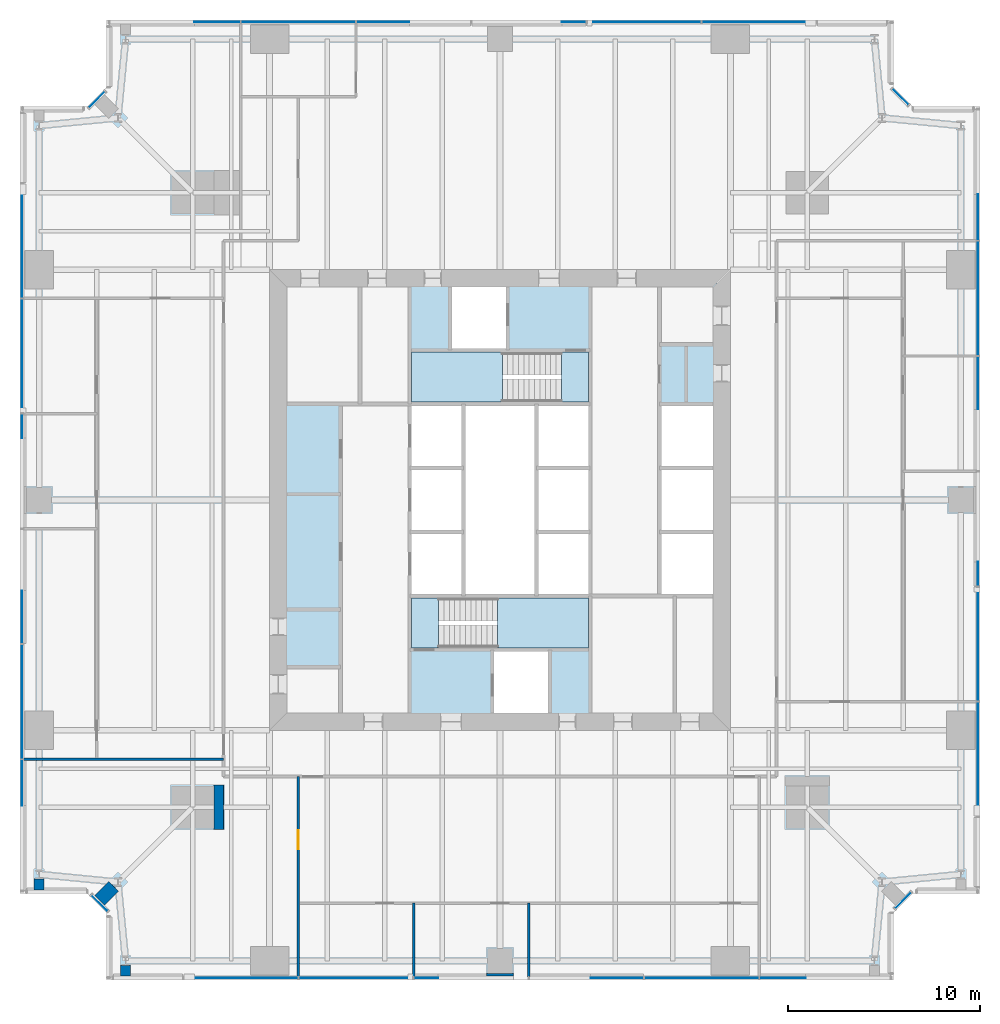
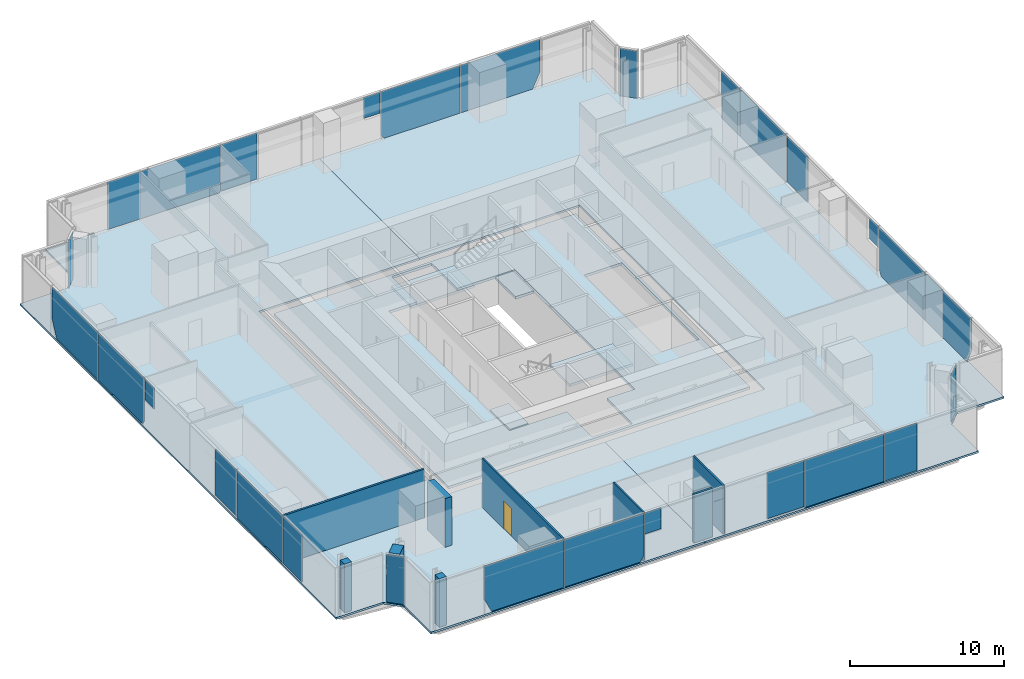
# One storey, part 8 of 13: 28 plates, 9 walls, 7 slabs, 1 door, 1 opening, 10 elements without a shape of their own.
"""IFC4 building model written with IfcOpenShell, lengths in metres."""

from ifc_helpers import new_model, si_unit, direction, frame, frame_2d, origin, origin_2d, place, context, subcontext, project, spatial, polyline, rectangle, outline, extrude, material, layer, layer_set, type_object, element, fill, aggregate, save


model = new_model("IFC4")

# Units and contexts
model_context = context("Model", 3, precision=1e-05, world=origin(), true_north=direction((0.0, 1.0)))
body_context = subcontext(model_context, "Body", "Model", "MODEL_VIEW")
ifc_project = project(units=[si_unit("LENGTHUNIT", "METRE"), si_unit("AREAUNIT", "SQUARE_METRE"), si_unit("VOLUMEUNIT", "CUBIC_METRE"), si_unit("PLANEANGLEUNIT", "RADIAN"), si_unit("MASSUNIT", "GRAM", prefix="KILO")], contexts=[model_context])

# Site, building, storey
site_placement = place(None, origin())
site = spatial("IfcSite", under=ifc_project, at=site_placement, CompositionType="ELEMENT")
building_placement = place(site_placement, origin())
building = spatial("IfcBuilding", under=site, at=building_placement, Name="Fenwick Lantern Interchange", CompositionType="ELEMENT")
storey_placement = place(building_placement, frame((0.0, 0.0, 142.39990234375)))
storey = spatial("IfcBuildingStorey", under=building, at=storey_placement, Name="L33", CompositionType="ELEMENT", Elevation=142.39990234375)

# Slabs
ifc_material_1 = material(Name="Concrete f'c 35 MPa", Category="concrete")
ifc_layer_1 = layer(ifc_material_1, 0.199951171875)
ifc_layer_set_1 = layer_set([ifc_layer_1], Name="CORE FLOOR SLAB 200")
slab_type_1 = type_object("IfcSlabType", Name="CORE FLOOR SLAB 200", PredefinedType="FLOOR", material=ifc_layer_set_1)
slab_1_placement = place(storey_placement, frame((0.0, 0.0, -0.199951171875)))
element("IfcSlab", 1, at=slab_1_placement, inside=storey, type_object=slab_type_1, Name="L33/SLAB/CORE", PredefinedType="FLOOR", context=body_context, shape_type="SweptSolid", body=[
    extrude(outline(polyline([(13.699951171875, 36.300048828125), (36.300048828125, 36.300048828125), (36.300048828125, 13.699951171875), (13.699951171875, 13.699951171875), (13.699951171875, 36.300048828125)]), holes=[polyline([(29.699951171875, 17.199951171875), (29.699951171875, 20.0), (29.699951171875, 23.333251953125), (29.699951171875, 26.666748046875), (29.699951171875, 30.0), (29.699951171875, 32.800048828125), (25.39990234375, 32.800048828125), (25.39990234375, 36.10009765625), (22.39990234375, 36.10009765625), (22.39990234375, 32.800048828125), (20.300048828125, 32.800048828125), (20.300048828125, 30.0), (20.300048828125, 26.666748046875), (20.300048828125, 23.333251953125), (20.300048828125, 20.0), (20.300048828125, 17.199951171875), (24.60009765625, 17.199951171875), (24.60009765625, 13.89990234375), (27.60009765625, 13.89990234375), (27.60009765625, 17.199951171875), (29.699951171875, 17.199951171875)]), polyline([(33.300048828125, 23.333251953125), (33.300048828125, 20.0), (36.10009765625, 20.0), (36.10009765625, 23.333251953125), (36.10009765625, 26.666748046875), (36.10009765625, 30.0), (33.300048828125, 30.0), (33.300048828125, 26.666748046875), (33.300048828125, 23.333251953125)])]), origin(), (0.0, 0.0, 1.0), 0.199951171875),
])
ifc_material_2 = material(Name="Concrete f'c 35 MPa", Category="concrete")
ifc_layer_2 = layer(ifc_material_2, 0.14990234375)
ifc_layer_set_2 = layer_set([ifc_layer_2], Name="Concrete f'c 35 MPa")
slab_type_2 = type_object("IfcSlabType", Name="FLOOR SLAB 150", PredefinedType="FLOOR", material=ifc_layer_set_2)
slab_2_placement = place(storey_placement, frame((0.0, 0.0, -0.14990234375)))
element("IfcSlab", 2, at=slab_2_placement, inside=storey, type_object=slab_type_2, Name="L33/SLAB/FW", PredefinedType="FLOOR", context=body_context, shape_type="SweptSolid", body=[
    extrude(outline(polyline([(4.5, 0.0), (4.5, 3.5), (3.5, 4.5), (0.0, 4.5), (0.0, 45.5), (3.5, 45.5), (4.5, 46.5), (4.5, 50.0), (25.0, 50.0), (25.0, 37.0), (13.0, 37.0), (13.0, 13.0), (25.0, 13.0), (25.0, 0.0), (4.5, 0.0)])), origin(), (0.0, 0.0, 1.0), 0.14990234375),
])
slab_3_placement = place(storey_placement, frame((0.0, 0.0, -0.14990234375)))
element("IfcSlab", 3, at=slab_3_placement, inside=storey, type_object=slab_type_2, Name="L33/SLAB/FE", PredefinedType="FLOOR", context=body_context, shape_type="SweptSolid", body=[
    extrude(outline(polyline([(45.5, 50.0), (45.5, 46.5), (46.5, 45.5), (50.0, 45.5), (50.0, 4.5), (46.5, 4.5), (45.5, 3.5), (45.5, 0.0), (25.0, 0.0), (25.0, 13.0), (37.0, 13.0), (37.0, 37.0), (25.0, 37.0), (25.0, 50.0), (45.5, 50.0)])), origin(), (0.0, 0.0, 1.0), 0.14990234375),
])

# Curtain wall, plates
ifc_material_3 = material(Name="Aluminium curtain wall frame", Category="aluminium")
curtain_wall_type = type_object("IfcCurtainWallType", Name="OFFICE CURTAIN WALL", PredefinedType="USERDEFINED", material=ifc_material_3)
curtain_wall_1_placement = place(storey_placement, origin())
curtain_wall_1 = element("IfcCurtainWall", 4, at=curtain_wall_1_placement, inside=storey, type_object=curtain_wall_type, Name="Office curtain wall 01", ObjectType="OFFICE CURTAIN WALL", PredefinedType="USERDEFINED")
ifc_material_4 = material(Name="Vision glass, clear low-iron double glazed", Category="glass")
ifc_layer_3 = layer(ifc_material_4, 0.031982421875)
ifc_layer_set_3 = layer_set([ifc_layer_3], Name="OFFICE CURTAIN WALL PANEL 32")
plate_type = type_object("IfcPlateType", Name="OFFICE CURTAIN WALL PANEL 32", PredefinedType="CURTAIN_PANEL", material=ifc_layer_set_3)
plate_1_placement = place(storey_placement, frame((4.60009765625, 0.10009765625, 0.0), z_axis=(0.0, 0.0, 1.0), x_axis=(1.0, 0.0, 0.0)))
plate_1 = element("IfcPlate", 5, at=plate_1_placement, type_object=plate_type, Name="L33/CW/01/P01a", PredefinedType="CURTAIN_PANEL", context=body_context, shape_type="SweptSolid", body=[
    extrude(outline(polyline([(4.478759765625, 0.0), (9.867431640625, 0.0), (9.867431640625, 3.75), (3.9326171875, 3.75), (3.9326171875, 1.165771484375), (4.478759765625, 0.0)])), frame((0.0, 0.01611328125, 0.0), z_axis=(0.0, -1.0, 0.0), x_axis=(1.0, 0.0, 0.0)), (0.0, 0.0, 1.0), 0.031982421875),
])
plate_2_placement = place(storey_placement, frame((4.60009765625, 0.10009765625, 0.0), z_axis=(0.0, 0.0, 1.0), x_axis=(1.0, 0.0, 0.0)))
plate_2 = element("IfcPlate", 6, at=plate_2_placement, type_object=plate_type, Name="L33/CW/01/P02a", PredefinedType="CURTAIN_PANEL", context=body_context, shape_type="SweptSolid", body=[
    extrude(outline(polyline([(9.9326171875, 0.0), (15.6044921875, 0.0), (15.867431640625, 0.350830078125), (15.867431640625, 3.75), (9.9326171875, 3.75), (9.9326171875, 0.0)])), frame((0.0, 0.01611328125, 0.0), z_axis=(0.0, -1.0, 0.0), x_axis=(1.0, 0.0, 0.0)), (0.0, 0.0, 1.0), 0.031982421875),
])
plate_3_placement = place(storey_placement, frame((4.60009765625, 0.10009765625, 2.0908203125), z_axis=(0.0, 0.0, 1.0), x_axis=(1.0, 0.0, 0.0)))
plate_3 = element("IfcPlate", 7, at=plate_3_placement, type_object=plate_type, Name="L33/CW/01/P03a", PredefinedType="CURTAIN_PANEL", context=body_context, shape_type="SweptSolid", body=[
    extrude(outline(polyline([(15.9326171875, 0.0), (17.172607421875, 0.0), (17.172607421875, 1.6591796875), (15.9326171875, 1.6591796875), (15.9326171875, 0.0)])), frame((0.0, 0.01611328125, 0.0), z_axis=(0.0, -1.0, 0.0), x_axis=(1.0, 0.0, 0.0)), (0.0, 0.0, 1.0), 0.031982421875),
])
plate_4_placement = place(storey_placement, frame((4.60009765625, 0.10009765625, 0.093017578125), z_axis=(0.0, 0.0, 1.0), x_axis=(1.0, 0.0, 0.0)))
plate_4 = element("IfcPlate", 8, at=plate_4_placement, type_object=plate_type, Name="L33/CW/01/P04a", PredefinedType="CURTAIN_PANEL", context=body_context, shape_type="SweptSolid", body=[
    extrude(outline(polyline([(25.1259765625, 0.0), (27.867431640625, 0.0), (27.867431640625, 3.656982421875), (25.1259765625, 3.656982421875), (25.1259765625, 0.0)])), frame((0.0, 0.01611328125, 0.0), z_axis=(0.0, -1.0, 0.0), x_axis=(1.0, 0.0, 0.0)), (0.0, 0.0, 1.0), 0.031982421875),
])
plate_5_placement = place(storey_placement, frame((35.5, 0.10009765625, 0.0), z_axis=(0.0, 0.0, 1.0), x_axis=(1.0, 0.0, 0.0)))
plate_5 = element("IfcPlate", 9, at=plate_5_placement, type_object=plate_type, Name="L33/CW/01/P05", PredefinedType="CURTAIN_PANEL", context=body_context, shape_type="SweptSolid", body=[
    extrude(rectangle(XDim=5.93505859375, YDim=0.031982421875, at=origin_2d()), origin(), (0.0, 0.0, 1.0), 3.75),
])
plate_6_placement = place(storey_placement, frame((4.60009765625, 0.10009765625, 0.0029296875), z_axis=(0.0, 0.0, 1.0), x_axis=(1.0, 0.0, 0.0)))
plate_6 = element("IfcPlate", 10, at=plate_6_placement, type_object=plate_type, Name="L33/CW/01/P06a", PredefinedType="CURTAIN_PANEL", context=body_context, shape_type="SweptSolid", body=[
    extrude(outline(polyline([(33.9326171875, 0.0), (36.322509765625, 0.0), (36.322509765625, 3.7470703125), (33.9326171875, 3.7470703125), (33.9326171875, 0.0)])), frame((0.0, 0.01611328125, 0.0), z_axis=(0.0, -1.0, 0.0), x_axis=(1.0, 0.0, 0.0)), (0.0, 0.0, 1.0), 0.031982421875),
])
aggregate(curtain_wall_1, [plate_1, plate_2, plate_3, plate_4, plate_5, plate_6])

# Curtain wall, plate
curtain_wall_2_placement = place(storey_placement, origin())
curtain_wall_2 = element("IfcCurtainWall", 11, at=curtain_wall_2_placement, inside=storey, type_object=curtain_wall_type, Name="Office curtain wall 03", ObjectType="OFFICE CURTAIN WALL", PredefinedType="USERDEFINED")
plate_7_placement = place(storey_placement, frame((46.0, 4.141357421875, 0.0), z_axis=(0.0, 0.0, 1.0), x_axis=(0.707106781187, 0.707106781187, 0.0)))
plate_7 = element("IfcPlate", 12, at=plate_7_placement, type_object=plate_type, Name="L33/CW/03/P00", PredefinedType="CURTAIN_PANEL", context=body_context, shape_type="SweptSolid", body=[
    extrude(rectangle(XDim=1.1669921875, YDim=0.031982421875, at=origin_2d()), origin(), (0.0, 0.0, 1.0), 3.75),
])
aggregate(curtain_wall_2, [plate_7])

# Curtain wall, plates
curtain_wall_3_placement = place(storey_placement, origin())
curtain_wall_3 = element("IfcCurtainWall", 13, at=curtain_wall_3_placement, inside=storey, type_object=curtain_wall_type, Name="Office curtain wall 05", ObjectType="OFFICE CURTAIN WALL", PredefinedType="USERDEFINED")
plate_8_placement = place(storey_placement, frame((49.89990234375, 4.60009765625, 0.0), z_axis=(0.0, 0.0, 1.0), x_axis=(0.0, 1.0, 0.0)))
plate_8 = element("IfcPlate", 14, at=plate_8_placement, type_object=plate_type, Name="L33/CW/05/P01a", PredefinedType="CURTAIN_PANEL", context=body_context, shape_type="SweptSolid", body=[
    extrude(outline(polyline([(4.478759765625, 0.0), (9.867431640625, 0.0), (9.867431640625, 3.75), (3.9326171875, 3.75), (3.9326171875, 1.165771484375), (4.478759765625, 0.0)])), frame((0.0, 0.01611328125, 0.0), z_axis=(0.0, -1.0, 0.0), x_axis=(1.0, 0.0, 0.0)), (0.0, 0.0, 1.0), 0.031982421875),
])
plate_9_placement = place(storey_placement, frame((49.89990234375, 4.60009765625, 0.0), z_axis=(0.0, 0.0, 1.0), x_axis=(0.0, 1.0, 0.0)))
plate_9 = element("IfcPlate", 15, at=plate_9_placement, type_object=plate_type, Name="L33/CW/05/P02a", PredefinedType="CURTAIN_PANEL", context=body_context, shape_type="SweptSolid", body=[
    extrude(outline(polyline([(9.9326171875, 0.0), (15.6044921875, 0.0), (15.867431640625, 0.350830078125), (15.867431640625, 3.75), (9.9326171875, 3.75), (9.9326171875, 0.0)])), frame((0.0, 0.01611328125, 0.0), z_axis=(0.0, -1.0, 0.0), x_axis=(1.0, 0.0, 0.0)), (0.0, 0.0, 1.0), 0.031982421875),
])
plate_10_placement = place(storey_placement, frame((49.89990234375, 4.60009765625, 2.0908203125), z_axis=(0.0, 0.0, 1.0), x_axis=(0.0, 1.0, 0.0)))
plate_10 = element("IfcPlate", 16, at=plate_10_placement, type_object=plate_type, Name="L33/CW/05/P03a", PredefinedType="CURTAIN_PANEL", context=body_context, shape_type="SweptSolid", body=[
    extrude(outline(polyline([(15.9326171875, 0.0), (17.172607421875, 0.0), (17.172607421875, 1.6591796875), (15.9326171875, 1.6591796875), (15.9326171875, 0.0)])), frame((0.0, 0.01611328125, 0.0), z_axis=(0.0, -1.0, 0.0), x_axis=(1.0, 0.0, 0.0)), (0.0, 0.0, 1.0), 0.031982421875),
])
plate_11_placement = place(storey_placement, frame((49.89990234375, 4.60009765625, 0.093017578125), z_axis=(0.0, 0.0, 1.0), x_axis=(0.0, 1.0, 0.0)))
plate_11 = element("IfcPlate", 17, at=plate_11_placement, type_object=plate_type, Name="L33/CW/05/P04a", PredefinedType="CURTAIN_PANEL", context=body_context, shape_type="SweptSolid", body=[
    extrude(outline(polyline([(25.1259765625, 0.0), (27.867431640625, 0.0), (27.867431640625, 3.656982421875), (25.1259765625, 3.656982421875), (25.1259765625, 0.0)])), frame((0.0, 0.01611328125, 0.0), z_axis=(0.0, -1.0, 0.0), x_axis=(1.0, 0.0, 0.0)), (0.0, 0.0, 1.0), 0.031982421875),
])
plate_12_placement = place(storey_placement, frame((49.89990234375, 35.5, 0.0), z_axis=(0.0, 0.0, 1.0), x_axis=(0.0, 1.0, 0.0)))
plate_12 = element("IfcPlate", 18, at=plate_12_placement, type_object=plate_type, Name="L33/CW/05/P05", PredefinedType="CURTAIN_PANEL", context=body_context, shape_type="SweptSolid", body=[
    extrude(rectangle(XDim=5.93505859375, YDim=0.031982421875, at=origin_2d()), origin(), (0.0, 0.0, 1.0), 3.75),
])
plate_13_placement = place(storey_placement, frame((49.89990234375, 4.60009765625, 0.0029296875), z_axis=(0.0, 0.0, 1.0), x_axis=(0.0, 1.0, 0.0)))
plate_13 = element("IfcPlate", 19, at=plate_13_placement, type_object=plate_type, Name="L33/CW/05/P06a", PredefinedType="CURTAIN_PANEL", context=body_context, shape_type="SweptSolid", body=[
    extrude(outline(polyline([(33.9326171875, 0.0), (36.322509765625, 0.0), (36.322509765625, 3.7470703125), (33.9326171875, 3.7470703125), (33.9326171875, 0.0)])), frame((0.0, 0.01611328125, 0.0), z_axis=(0.0, -1.0, 0.0), x_axis=(1.0, 0.0, 0.0)), (0.0, 0.0, 1.0), 0.031982421875),
])
aggregate(curtain_wall_3, [plate_8, plate_9, plate_10, plate_11, plate_12, plate_13])

# Curtain wall, plate
curtain_wall_4_placement = place(storey_placement, origin())
curtain_wall_4 = element("IfcCurtainWall", 20, at=curtain_wall_4_placement, inside=storey, type_object=curtain_wall_type, Name="Office curtain wall 07", ObjectType="OFFICE CURTAIN WALL", PredefinedType="USERDEFINED")
plate_14_placement = place(storey_placement, frame((45.858642578125, 46.0, 0.0), z_axis=(0.0, 0.0, 1.0), x_axis=(-0.707106781187, 0.707106781187, 0.0)))
plate_14 = element("IfcPlate", 21, at=plate_14_placement, type_object=plate_type, Name="L33/CW/07/P00", PredefinedType="CURTAIN_PANEL", context=body_context, shape_type="SweptSolid", body=[
    extrude(rectangle(XDim=1.1669921875, YDim=0.031982421875, at=origin_2d()), origin(), (0.0, 0.0, 1.0), 3.75),
])
aggregate(curtain_wall_4, [plate_14])

# Curtain wall, plates
curtain_wall_5_placement = place(storey_placement, origin())
curtain_wall_5 = element("IfcCurtainWall", 22, at=curtain_wall_5_placement, inside=storey, type_object=curtain_wall_type, Name="Office curtain wall 09", ObjectType="OFFICE CURTAIN WALL", PredefinedType="USERDEFINED")
plate_15_placement = place(storey_placement, frame((45.39990234375, 49.89990234375, 0.0), z_axis=(0.0, 0.0, 1.0), x_axis=(-1.0, 0.0, 0.0)))
plate_15 = element("IfcPlate", 23, at=plate_15_placement, type_object=plate_type, Name="L33/CW/09/P01a", PredefinedType="CURTAIN_PANEL", context=body_context, shape_type="SweptSolid", body=[
    extrude(outline(polyline([(4.478759765625, 0.0), (9.867431640625, 0.0), (9.867431640625, 3.75), (3.9326171875, 3.75), (3.9326171875, 1.165771484375), (4.478759765625, 0.0)])), frame((0.0, 0.01611328125, 0.0), z_axis=(0.0, -1.0, 0.0), x_axis=(1.0, 0.0, 0.0)), (0.0, 0.0, 1.0), 0.031982421875),
])
plate_16_placement = place(storey_placement, frame((45.39990234375, 49.89990234375, 0.0), z_axis=(0.0, 0.0, 1.0), x_axis=(-1.0, 0.0, 0.0)))
plate_16 = element("IfcPlate", 24, at=plate_16_placement, type_object=plate_type, Name="L33/CW/09/P02a", PredefinedType="CURTAIN_PANEL", context=body_context, shape_type="SweptSolid", body=[
    extrude(outline(polyline([(9.9326171875, 0.0), (15.6044921875, 0.0), (15.867431640625, 0.350830078125), (15.867431640625, 3.75), (9.9326171875, 3.75), (9.9326171875, 0.0)])), frame((0.0, 0.01611328125, 0.0), z_axis=(0.0, -1.0, 0.0), x_axis=(1.0, 0.0, 0.0)), (0.0, 0.0, 1.0), 0.031982421875),
])
plate_17_placement = place(storey_placement, frame((45.39990234375, 49.89990234375, 2.0908203125), z_axis=(0.0, 0.0, 1.0), x_axis=(-1.0, 0.0, 0.0)))
plate_17 = element("IfcPlate", 25, at=plate_17_placement, type_object=plate_type, Name="L33/CW/09/P03a", PredefinedType="CURTAIN_PANEL", context=body_context, shape_type="SweptSolid", body=[
    extrude(outline(polyline([(15.9326171875, 0.0), (17.172607421875, 0.0), (17.172607421875, 1.6591796875), (15.9326171875, 1.6591796875), (15.9326171875, 0.0)])), frame((0.0, 0.01611328125, 0.0), z_axis=(0.0, -1.0, 0.0), x_axis=(1.0, 0.0, 0.0)), (0.0, 0.0, 1.0), 0.031982421875),
])
plate_18_placement = place(storey_placement, frame((45.39990234375, 49.89990234375, 0.093017578125), z_axis=(0.0, 0.0, 1.0), x_axis=(-1.0, 0.0, 0.0)))
plate_18 = element("IfcPlate", 26, at=plate_18_placement, type_object=plate_type, Name="L33/CW/09/P04a", PredefinedType="CURTAIN_PANEL", context=body_context, shape_type="SweptSolid", body=[
    extrude(outline(polyline([(25.1259765625, 0.0), (27.867431640625, 0.0), (27.867431640625, 3.656982421875), (25.1259765625, 3.656982421875), (25.1259765625, 0.0)])), frame((0.0, 0.01611328125, 0.0), z_axis=(0.0, -1.0, 0.0), x_axis=(1.0, 0.0, 0.0)), (0.0, 0.0, 1.0), 0.031982421875),
])
plate_19_placement = place(storey_placement, frame((14.5, 49.89990234375, 0.0), z_axis=(0.0, 0.0, 1.0), x_axis=(-1.0, 0.0, 0.0)))
plate_19 = element("IfcPlate", 27, at=plate_19_placement, type_object=plate_type, Name="L33/CW/09/P05", PredefinedType="CURTAIN_PANEL", context=body_context, shape_type="SweptSolid", body=[
    extrude(rectangle(XDim=5.93505859375, YDim=0.031982421875, at=origin_2d()), origin(), (0.0, 0.0, 1.0), 3.75),
])
plate_20_placement = place(storey_placement, frame((45.39990234375, 49.89990234375, 0.0029296875), z_axis=(0.0, 0.0, 1.0), x_axis=(-1.0, 0.0, 0.0)))
plate_20 = element("IfcPlate", 28, at=plate_20_placement, type_object=plate_type, Name="L33/CW/09/P06a", PredefinedType="CURTAIN_PANEL", context=body_context, shape_type="SweptSolid", body=[
    extrude(outline(polyline([(33.9326171875, 0.0), (36.322509765625, 0.0), (36.322509765625, 3.7470703125), (33.9326171875, 3.7470703125), (33.9326171875, 0.0)])), frame((0.0, 0.01611328125, 0.0), z_axis=(0.0, -1.0, 0.0), x_axis=(1.0, 0.0, 0.0)), (0.0, 0.0, 1.0), 0.031982421875),
])
aggregate(curtain_wall_5, [plate_15, plate_16, plate_17, plate_18, plate_19, plate_20])

# Curtain wall, plate
curtain_wall_6_placement = place(storey_placement, origin())
curtain_wall_6 = element("IfcCurtainWall", 29, at=curtain_wall_6_placement, inside=storey, type_object=curtain_wall_type, Name="Office curtain wall 11", ObjectType="OFFICE CURTAIN WALL", PredefinedType="USERDEFINED")
plate_21_placement = place(storey_placement, frame((4.0, 45.858642578125, 0.0), z_axis=(0.0, 0.0, 1.0), x_axis=(-0.707106781187, -0.707106781187, 0.0)))
plate_21 = element("IfcPlate", 30, at=plate_21_placement, type_object=plate_type, Name="L33/CW/11/P00", PredefinedType="CURTAIN_PANEL", context=body_context, shape_type="SweptSolid", body=[
    extrude(rectangle(XDim=1.1669921875, YDim=0.031982421875, at=origin_2d()), origin(), (0.0, 0.0, 1.0), 3.75),
])
aggregate(curtain_wall_6, [plate_21])

# Curtain wall, plates
curtain_wall_7_placement = place(storey_placement, origin())
curtain_wall_7 = element("IfcCurtainWall", 31, at=curtain_wall_7_placement, inside=storey, type_object=curtain_wall_type, Name="Office curtain wall 13", ObjectType="OFFICE CURTAIN WALL", PredefinedType="USERDEFINED")
plate_22_placement = place(storey_placement, frame((0.10009765625, 45.39990234375, 0.0), z_axis=(0.0, 0.0, 1.0), x_axis=(0.0, -1.0, 0.0)))
plate_22 = element("IfcPlate", 32, at=plate_22_placement, type_object=plate_type, Name="L33/CW/13/P01a", PredefinedType="CURTAIN_PANEL", context=body_context, shape_type="SweptSolid", body=[
    extrude(outline(polyline([(4.478759765625, 0.0), (9.867431640625, 0.0), (9.867431640625, 3.75), (3.9326171875, 3.75), (3.9326171875, 1.165771484375), (4.478759765625, 0.0)])), frame((0.0, 0.01611328125, 0.0), z_axis=(0.0, -1.0, 0.0), x_axis=(1.0, 0.0, 0.0)), (0.0, 0.0, 1.0), 0.031982421875),
])
plate_23_placement = place(storey_placement, frame((0.10009765625, 45.39990234375, 0.0), z_axis=(0.0, 0.0, 1.0), x_axis=(0.0, -1.0, 0.0)))
plate_23 = element("IfcPlate", 33, at=plate_23_placement, type_object=plate_type, Name="L33/CW/13/P02a", PredefinedType="CURTAIN_PANEL", context=body_context, shape_type="SweptSolid", body=[
    extrude(outline(polyline([(9.9326171875, 0.0), (15.6044921875, 0.0), (15.867431640625, 0.350830078125), (15.867431640625, 3.75), (9.9326171875, 3.75), (9.9326171875, 0.0)])), frame((0.0, 0.01611328125, 0.0), z_axis=(0.0, -1.0, 0.0), x_axis=(1.0, 0.0, 0.0)), (0.0, 0.0, 1.0), 0.031982421875),
])
plate_24_placement = place(storey_placement, frame((0.10009765625, 45.39990234375, 2.0908203125), z_axis=(0.0, 0.0, 1.0), x_axis=(0.0, -1.0, 0.0)))
plate_24 = element("IfcPlate", 34, at=plate_24_placement, type_object=plate_type, Name="L33/CW/13/P03a", PredefinedType="CURTAIN_PANEL", context=body_context, shape_type="SweptSolid", body=[
    extrude(outline(polyline([(15.9326171875, 0.0), (17.172607421875, 0.0), (17.172607421875, 1.6591796875), (15.9326171875, 1.6591796875), (15.9326171875, 0.0)])), frame((0.0, 0.01611328125, 0.0), z_axis=(0.0, -1.0, 0.0), x_axis=(1.0, 0.0, 0.0)), (0.0, 0.0, 1.0), 0.031982421875),
])
plate_25_placement = place(storey_placement, frame((0.10009765625, 45.39990234375, 0.093017578125), z_axis=(0.0, 0.0, 1.0), x_axis=(0.0, -1.0, 0.0)))
plate_25 = element("IfcPlate", 35, at=plate_25_placement, type_object=plate_type, Name="L33/CW/13/P04a", PredefinedType="CURTAIN_PANEL", context=body_context, shape_type="SweptSolid", body=[
    extrude(outline(polyline([(25.1259765625, 0.0), (27.867431640625, 0.0), (27.867431640625, 3.656982421875), (25.1259765625, 3.656982421875), (25.1259765625, 0.0)])), frame((0.0, 0.01611328125, 0.0), z_axis=(0.0, -1.0, 0.0), x_axis=(1.0, 0.0, 0.0)), (0.0, 0.0, 1.0), 0.031982421875),
])
plate_26_placement = place(storey_placement, frame((0.10009765625, 14.5, 0.0), z_axis=(0.0, 0.0, 1.0), x_axis=(0.0, -1.0, 0.0)))
plate_26 = element("IfcPlate", 36, at=plate_26_placement, type_object=plate_type, Name="L33/CW/13/P05", PredefinedType="CURTAIN_PANEL", context=body_context, shape_type="SweptSolid", body=[
    extrude(rectangle(XDim=5.93505859375, YDim=0.031982421875, at=origin_2d()), origin(), (0.0, 0.0, 1.0), 3.75),
])
plate_27_placement = place(storey_placement, frame((0.10009765625, 45.39990234375, 0.0029296875), z_axis=(0.0, 0.0, 1.0), x_axis=(0.0, -1.0, 0.0)))
plate_27 = element("IfcPlate", 37, at=plate_27_placement, type_object=plate_type, Name="L33/CW/13/P06a", PredefinedType="CURTAIN_PANEL", context=body_context, shape_type="SweptSolid", body=[
    extrude(outline(polyline([(33.9326171875, 0.0), (36.322509765625, 0.0), (36.322509765625, 3.7470703125), (33.9326171875, 3.7470703125), (33.9326171875, 0.0)])), frame((0.0, 0.01611328125, 0.0), z_axis=(0.0, -1.0, 0.0), x_axis=(1.0, 0.0, 0.0)), (0.0, 0.0, 1.0), 0.031982421875),
])
aggregate(curtain_wall_7, [plate_22, plate_23, plate_24, plate_25, plate_26, plate_27])

# Curtain wall, plate
curtain_wall_8_placement = place(storey_placement, origin())
curtain_wall_8 = element("IfcCurtainWall", 38, at=curtain_wall_8_placement, inside=storey, type_object=curtain_wall_type, Name="Office curtain wall 15", ObjectType="OFFICE CURTAIN WALL", PredefinedType="USERDEFINED")
plate_28_placement = place(storey_placement, frame((4.141357421875, 4.0, 0.0), z_axis=(0.0, 0.0, 1.0), x_axis=(0.707106781187, -0.707106781187, 0.0)))
plate_28 = element("IfcPlate", 39, at=plate_28_placement, type_object=plate_type, Name="L33/CW/15/P00", PredefinedType="CURTAIN_PANEL", context=body_context, shape_type="SweptSolid", body=[
    extrude(rectangle(XDim=1.1669921875, YDim=0.031982421875, at=origin_2d()), origin(), (0.0, 0.0, 1.0), 3.75),
])
aggregate(curtain_wall_8, [plate_28])

# Stair, slabs
ifc_material_5 = material(Name="Precast concrete f'c 35 MPa", Category="concrete")
stair_type = type_object("IfcStairType", Name="EXIT STAIR 1200", PredefinedType="HALF_TURN_STAIR", material=ifc_material_5)
stair_1_placement = place(storey_placement, origin())
stair_1 = element("IfcStair", 40, at=stair_1_placement, inside=storey, type_object=stair_type, Name="Exit stair ST1", PredefinedType="HALF_TURN_STAIR")
ifc_layer_4 = layer(ifc_material_1, 0.199951171875)
ifc_layer_set_4 = layer_set([ifc_layer_4], Name="STAIR LANDING 200")
slab_type_3 = type_object("IfcSlabType", Name="STAIR LANDING 200", PredefinedType="LANDING", material=ifc_layer_set_4)
slab_4_placement = place(storey_placement, frame((0.0, 0.0, 1.800048828125)))
slab_4 = element("IfcSlab", 41, at=slab_4_placement, type_object=slab_type_3, Name="ST1 landing 1", PredefinedType="LANDING", context=body_context, shape_type="SweptSolid", body=[
    extrude(outline(polyline([(24.8798828125, 17.300048828125), (29.60009765625, 17.300048828125), (29.60009765625, 19.89990234375), (24.8798828125, 19.89990234375), (24.8798828125, 17.300048828125)])), origin(), (0.0, 0.0, 1.0), 0.199951171875),
])
slab_5_placement = place(storey_placement, frame((0.0, 0.0, -0.199951171875)))
slab_5 = element("IfcSlab", 42, at=slab_5_placement, type_object=slab_type_3, Name="ST1 landing 2", PredefinedType="LANDING", context=body_context, shape_type="SweptSolid", body=[
    extrude(outline(polyline([(20.39990234375, 17.300048828125), (21.800048828125, 17.300048828125), (21.800048828125, 19.89990234375), (20.39990234375, 19.89990234375), (20.39990234375, 17.300048828125)])), origin(), (0.0, 0.0, 1.0), 0.199951171875),
])
aggregate(stair_1, [slab_4, slab_5])

stair_2_placement = place(storey_placement, origin())
stair_2 = element("IfcStair", 43, at=stair_2_placement, inside=storey, type_object=stair_type, Name="Exit stair ST2", PredefinedType="HALF_TURN_STAIR")
slab_6_placement = place(storey_placement, frame((0.0, 0.0, 1.800048828125)))
slab_6 = element("IfcSlab", 44, at=slab_6_placement, type_object=slab_type_3, Name="ST2 landing 1", PredefinedType="LANDING", context=body_context, shape_type="SweptSolid", body=[
    extrude(outline(polyline([(25.1201171875, 32.699951171875), (20.39990234375, 32.699951171875), (20.39990234375, 30.10009765625), (25.1201171875, 30.10009765625), (25.1201171875, 32.699951171875)])), origin(), (0.0, 0.0, 1.0), 0.199951171875),
])
slab_7_placement = place(storey_placement, frame((0.0, 0.0, -0.199951171875)))
slab_7 = element("IfcSlab", 45, at=slab_7_placement, type_object=slab_type_3, Name="ST2 landing 2", PredefinedType="LANDING", context=body_context, shape_type="SweptSolid", body=[
    extrude(outline(polyline([(29.60009765625, 32.699951171875), (28.199951171875, 32.699951171875), (28.199951171875, 30.10009765625), (29.60009765625, 30.10009765625), (29.60009765625, 32.699951171875)])), origin(), (0.0, 0.0, 1.0), 0.199951171875),
])
aggregate(stair_2, [slab_6, slab_7])

# Walls
ifc_material_6 = material(Name="Fire-rated gypsum board encasement on steel studs, 2 hour", Category="steel")
ifc_layer_5 = layer(ifc_material_6, 1.39990234375)
ifc_layer_set_5 = layer_set([ifc_layer_5], Name="COLUMN PIER 1400")
wall_type_1 = type_object("IfcWallType", Name="COLUMN PIER 1400", PredefinedType="PARTITIONING", material=ifc_layer_set_5)
wall_1_placement = place(storey_placement, frame((25.0, 0.199951171875, 0.0), z_axis=(0.0, 0.0, 1.0), x_axis=(0.0, 1.0, 0.0)))
element("IfcWall", 46, at=wall_1_placement, inside=storey, type_object=wall_type_1, Name="L33/W/PIER/CS3", PredefinedType="PARTITIONING", context=body_context, shape_type="SweptSolid", body=[
    extrude(rectangle(XDim=0.150146484375, YDim=1.39990234375, at=frame_2d((0.0751953125, 0.0))), origin(), (0.0, 0.0, 1.0), 3.85009765625),
])
ifc_layer_6 = layer(ifc_material_6, 2.300048828125)
ifc_layer_set_6 = layer_set([ifc_layer_6], Name="COLUMN PIER 2300")
wall_type_2 = type_object("IfcWallType", Name="COLUMN PIER 2300", PredefinedType="PARTITIONING", material=ifc_layer_set_6)
wall_2_placement = place(storey_placement, frame((10.60009765625, 9.0, 0.0), z_axis=(0.0, 0.0, 1.0), x_axis=(-1.0, 0.0, 0.0)))
element("IfcWall", 47, at=wall_2_placement, inside=storey, type_object=wall_type_2, Name="L33/W/PIER/M1", PredefinedType="PARTITIONING", context=body_context, shape_type="SweptSolid", body=[
    extrude(rectangle(XDim=0.5, YDim=2.300048828125, at=frame_2d((0.25, 0.0))), origin(), (0.0, 0.0, 1.0), 3.85009765625),
])
ifc_layer_7 = layer(ifc_material_6, 0.52392578125)
ifc_layer_set_7 = layer_set([ifc_layer_7], Name="COLUMN PIER 524")
wall_type_3 = type_object("IfcWallType", Name="COLUMN PIER 524", PredefinedType="PARTITIONING", material=ifc_layer_set_7)
for number, where, z_axis, x_axis, name in (
    (48, (5.5, 0.199951171875, 0.0), (0.0, 0.0, 1.0), (0.0, 1.0, 0.0), "L33/W/PIER/CS1"),
    (49, (1.0, 4.699951171875, 0.0), (0.0, 0.0, 1.0), (0.0, 1.0, 0.0), "L33/W/PIER/CW5"),
):
    element("IfcWall", number, at=place(storey_placement, frame(where, z_axis=z_axis, x_axis=x_axis)), inside=storey, type_object=wall_type_3, Name=name, PredefinedType="PARTITIONING", context=body_context, shape_type="SweptSolid", body=[
        extrude(rectangle(XDim=0.5625, YDim=0.52392578125, at=frame_2d((0.28125, 0.0))), origin(), (0.0, 0.0, 1.0), 3.85009765625),
    ])
ifc_layer_8 = layer(ifc_material_6, 0.736083984375)
ifc_layer_set_8 = layer_set([ifc_layer_8], Name="COLUMN PIER 736")
wall_type_4 = type_object("IfcWallType", Name="COLUMN PIER 736", PredefinedType="PARTITIONING", material=ifc_layer_set_8)
wall_3_placement = place(storey_placement, frame((4.141357421875, 4.141357421875, 0.0), z_axis=(0.0, 0.0, 1.0), x_axis=(0.707106781187, 0.707106781187, 0.0)))
element("IfcWall", 50, at=wall_3_placement, inside=storey, type_object=wall_type_4, Name="L33/W/PIER/CWR", PredefinedType="PARTITIONING", context=body_context, shape_type="SweptSolid", body=[
    extrude(rectangle(XDim=1.037841796875, YDim=0.736083984375, at=frame_2d((0.51904296875, 0.0))), origin(), (0.0, 0.0, 1.0), 3.85009765625),
])

# Wall, opening, door
ifc_material_7 = material(Name="Gypsum board on steel studs, acoustic", Category="steel")
ifc_layer_9 = layer(ifc_material_7, 0.125)
ifc_layer_set_9 = layer_set([ifc_layer_9], Name="OFFICE PARTITION 125")
wall_type_5 = type_object("IfcWallType", Name="OFFICE PARTITION 125", PredefinedType="PARTITIONING", material=ifc_layer_set_9)
wall_4_placement = place(storey_placement, frame((14.5, 0.14990234375, 0.0), z_axis=(0.0, 0.0, 1.0), x_axis=(0.0, 1.0, 0.0)))
wall_4 = element("IfcWall", 51, at=wall_4_placement, inside=storey, type_object=wall_type_5, Name="L33/W/OFF/S/X145-1", PredefinedType="PARTITIONING", context=body_context, shape_type="SweptSolid", body=[
    extrude(rectangle(XDim=10.4501953125, YDim=0.125, at=frame_2d((5.22509765625, 0.0))), origin(), (0.0, 0.0, 1.0), 3.85009765625),
])
opening_placement = place(wall_4_placement, frame((6.64990234375, 0.0, 0.0)))
opening = element("IfcOpeningElement", 52, at=opening_placement, cuts=wall_4, Name="Opening L33-D022", PredefinedType="OPENING", context=body_context, shape_type="SweptSolid", body=[
    extrude(rectangle(XDim=1.0, YDim=2.199951171875, at=frame_2d((0.5, 1.10009765625))), frame((0.0, 0.072509765625, 0.0), z_axis=(0.0, -1.0, 0.0), x_axis=(1.0, 0.0, 0.0)), (0.0, 0.0, 1.0), 0.14501953125),
])
ifc_material_8 = material(Name="Hardwood door and steel frame", Category="steel")
door_type = type_object("IfcDoorType", Name="MEETING ROOM DOOR 1000 X 2200", OperationType="SINGLE_SWING_LEFT", PredefinedType="DOOR", material=ifc_material_8)
door_placement = place(opening_placement, origin())
door = element("IfcDoor", 53, at=door_placement, inside=storey, type_object=door_type, Name="Meeting room door", OperationType="SINGLE_SWING_RIGHT", OverallHeight=2.199951171875, OverallWidth=1.0, PredefinedType="DOOR", context=body_context, shape_type="SweptSolid", body=[
    extrude(rectangle(XDim=1.0, YDim=2.199951171875, at=frame_2d((0.5, 1.10009765625))), frame((0.0, 0.02490234375, 0.0), z_axis=(0.0, -1.0, 0.0), x_axis=(1.0, 0.0, 0.0)), (0.0, 0.0, 1.0), 0.050048828125),
])
fill(opening, door)

# Walls
for number, where, z_axis, x_axis, name in (
    (54, (20.5, 0.14990234375, 0.0), (0.0, 0.0, 1.0), (0.0, 1.0, 0.0), "L33/W/OFF/S/X205-1"),
    (55, (26.5, 0.14990234375, 0.0), (0.0, 0.0, 1.0), (0.0, 1.0, 0.0), "L33/W/OFF/S/X265-1"),
):
    element("IfcWall", number, at=place(storey_placement, frame(where, z_axis=z_axis, x_axis=x_axis)), inside=storey, type_object=wall_type_5, Name=name, PredefinedType="PARTITIONING", context=body_context, shape_type="SweptSolid", body=[
        extrude(rectangle(XDim=3.85009765625, YDim=0.125, at=frame_2d((1.925048828125, 0.0))), origin(), (0.0, 0.0, 1.0), 3.85009765625),
    ])
ifc_material_9 = material(Name="Gypsum board on steel studs, 1 hour acoustic", Category="steel")
ifc_layer_10 = layer(ifc_material_9, 0.14990234375)
ifc_layer_set_10 = layer_set([ifc_layer_10], Name="TENANT WALL 150")
wall_type_6 = type_object("IfcWallType", Name="TENANT WALL 150", PredefinedType="PARTITIONING", material=ifc_layer_set_10)
wall_5_placement = place(storey_placement, frame((0.14990234375, 11.5, 0.0), z_axis=(0.0, 0.0, 1.0), x_axis=(1.0, 0.0, 0.0)))
element("IfcWall", 56, at=wall_5_placement, inside=storey, type_object=wall_type_6, Name="L33/W/OFF/S/BACK", PredefinedType="PARTITIONING", context=body_context, shape_type="SweptSolid", body=[
    extrude(rectangle(XDim=10.4501953125, YDim=0.14990234375, at=frame_2d((5.22509765625, 0.0))), origin(), (0.0, 0.0, 1.0), 3.85009765625),
])

save(model, "model.ifc")
